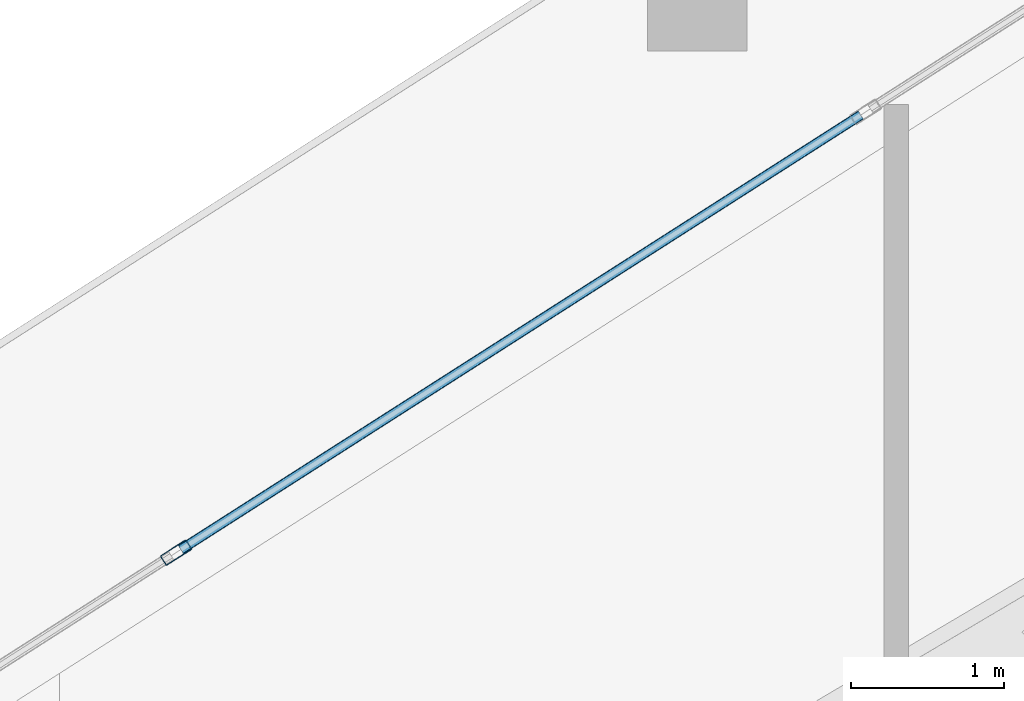
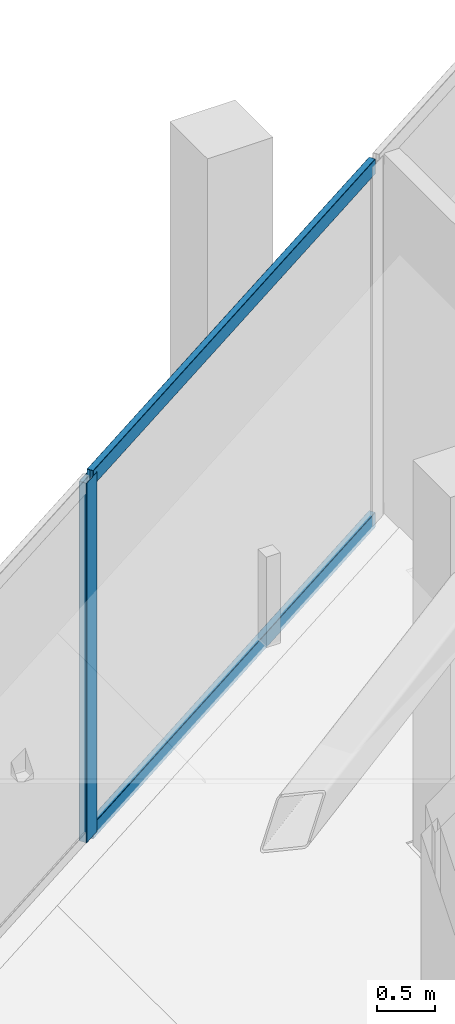
# One storey, part 20 of 43: 3 members, 1 element without a shape of its own.
"""IFC4 building model written with IfcOpenShell, lengths in metres."""

from ifc_helpers import new_model, si_unit, direction, frame, origin, origin_2d, place, context, subcontext, project, spatial, hollow_rectangle, extrude, material, layer, layer_set, material_profile, profile_set, type_object, element, aggregate, save


model = new_model("IFC4")

# Units and contexts
model_context = context("Model", 3, precision=1e-05, world=origin(), true_north=direction((0.0, 1.0)))
body_context = subcontext(model_context, "Body", "Model", "MODEL_VIEW")
ifc_project = project(units=[si_unit("LENGTHUNIT", "METRE"), si_unit("AREAUNIT", "SQUARE_METRE"), si_unit("VOLUMEUNIT", "CUBIC_METRE"), si_unit("PLANEANGLEUNIT", "RADIAN"), si_unit("MASSUNIT", "GRAM", prefix="KILO")], contexts=[model_context])

# Site, building, storey
site_placement = place(None, origin())
site = spatial("IfcSite", under=ifc_project, at=site_placement, CompositionType="ELEMENT")
building_placement = place(site_placement, origin())
building = spatial("IfcBuilding", under=site, at=building_placement, Name="Qorvath Tower", CompositionType="ELEMENT")
storey_placement = place(building_placement, frame((0.0, 0.0, 150.300048828125)))
storey = spatial("IfcBuildingStorey", under=building, at=storey_placement, Name="L34", CompositionType="ELEMENT", Elevation=150.300048828125)

# Curtain wall, members
ifc_material_1 = material(Name="Anodised aluminium and triple low-E glass", Category="aluminium")
ifc_layer = layer(ifc_material_1, 0.179931640625)
ifc_layer_set = layer_set([ifc_layer], Name="CW-SYS-5")
curtain_wall_type = type_object("IfcCurtainWallType", Name="CW-SYS-5", PredefinedType="NOTDEFINED", material=ifc_layer_set)
curtain_wall_placement = place(storey_placement, origin())
curtain_wall = element("IfcCurtainWall", 1, at=curtain_wall_placement, inside=storey, type_object=curtain_wall_type, Name="Curtain Wall CW-5 CW-T-L34-16.1", PredefinedType="NOTDEFINED")
ifc_material_2 = material(Name="Anodised aluminium 6063-T6", Category="aluminium")
ifc_material_profile_1 = material_profile(ifc_material_2, hollow_rectangle(XDim=0.074951171875, YDim=0.199951171875, WallThickness=0.00390625, InnerFilletRadius=0.00390625, OuterFilletRadius=0.008056640625, at=origin_2d()), Name="CWM 200x75")
ifc_profile_set_1 = profile_set([ifc_material_profile_1], Name="Anodised aluminium 6063-T6")
member_type_1 = type_object("IfcMemberType", Name="CWM-200", PredefinedType="MULLION", material=ifc_profile_set_1)
member_1_placement = place(storey_placement, frame((-38.657470703125, 15.224365234375, 0.0), z_axis=(0.0, 0.0, 1.0), x_axis=(0.538535404822, -0.842602882592, 0.0)))
member_1 = element("IfcMember", 2, at=member_1_placement, type_object=member_type_1, Name="CW-5 mullion 6", PredefinedType="MULLION", context=body_context, shape_type="SweptSolid", body=[
    extrude(hollow_rectangle(XDim=0.074951171875, YDim=0.199951171875, WallThickness=0.00390625, InnerFilletRadius=0.00390625, OuterFilletRadius=0.008056640625, at=origin_2d()), origin(), (0.0, 0.0, 1.0), 3.780029296875),
])
ifc_material_3 = material(Name="Anodised aluminium 6063-T6", Category="aluminium")
ifc_material_profile_2 = material_profile(ifc_material_3, hollow_rectangle(XDim=0.06494140625, YDim=0.159912109375, WallThickness=0.00341796875, InnerFilletRadius=0.00341796875, OuterFilletRadius=0.007080078125, at=origin_2d()), Name="CWT 160x65")
ifc_profile_set_2 = profile_set([ifc_material_profile_2], Name="Anodised aluminium 6063-T6")
member_type_2 = type_object("IfcMemberType", Name="CWT-160", PredefinedType="USERDEFINED", material=ifc_profile_set_2)
member_2_placement = place(storey_placement, frame((-34.1826171875, 18.084228515625, 0.032470703125), z_axis=(-0.842607560857, -0.538528085049, 0.0), x_axis=(0.538528085049, -0.842607560857, 0.0)))
member_2 = element("IfcMember", 3, at=member_2_placement, type_object=member_type_2, Name="CW-5 transom 5.1", ObjectType="TRANSOM", PredefinedType="USERDEFINED", context=body_context, shape_type="SweptSolid", body=[
    extrude(hollow_rectangle(XDim=0.06494140625, YDim=0.159912109375, WallThickness=0.00341796875, InnerFilletRadius=0.00341796875, OuterFilletRadius=0.007080078125, at=origin_2d()), origin(), (0.0, 0.0, 1.0), 5.2734375),
])
member_3_placement = place(storey_placement, frame((-34.1826171875, 18.084228515625, 3.74755859375), z_axis=(-0.842607560857, -0.538528085049, 0.0), x_axis=(0.538528085049, -0.842607560857, 0.0)))
member_3 = element("IfcMember", 4, at=member_3_placement, type_object=member_type_2, Name="CW-5 transom 5.2", ObjectType="TRANSOM", PredefinedType="USERDEFINED", context=body_context, shape_type="SweptSolid", body=[
    extrude(hollow_rectangle(XDim=0.06494140625, YDim=0.159912109375, WallThickness=0.00341796875, InnerFilletRadius=0.00341796875, OuterFilletRadius=0.007080078125, at=origin_2d()), origin(), (0.0, 0.0, 1.0), 5.2734375),
])
aggregate(curtain_wall, [member_1, member_2, member_3])

save(model, "model.ifc")
